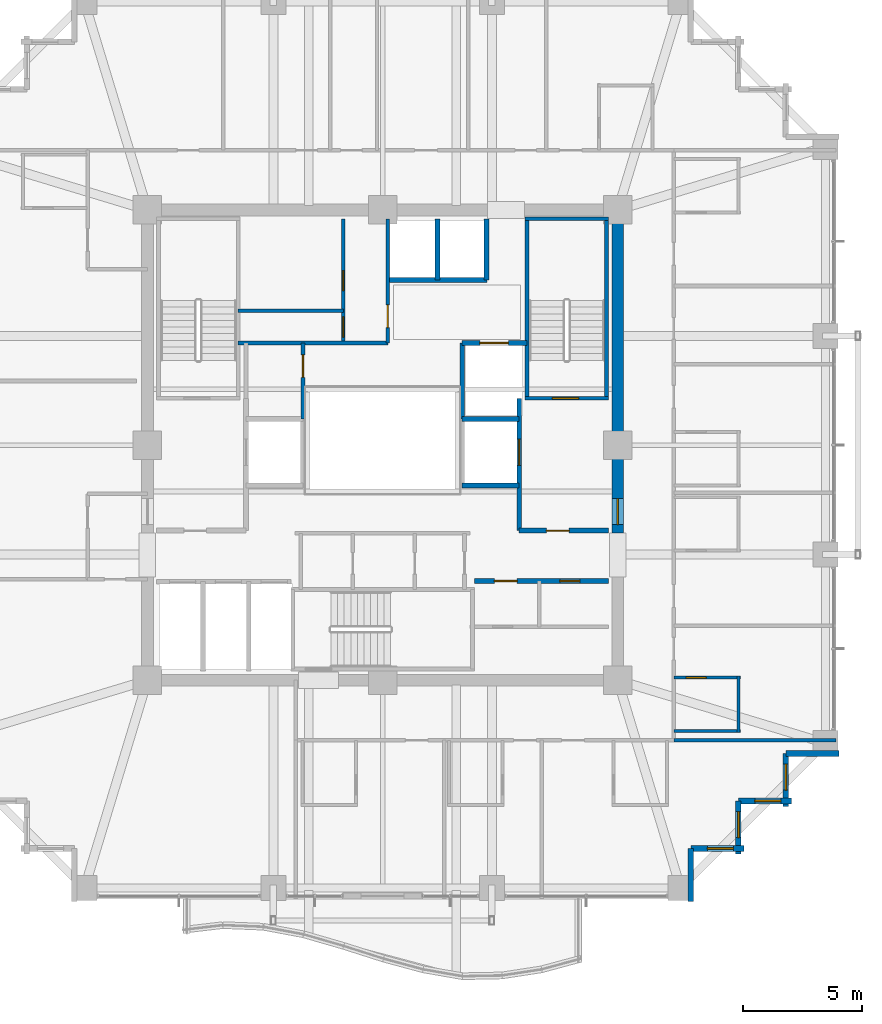
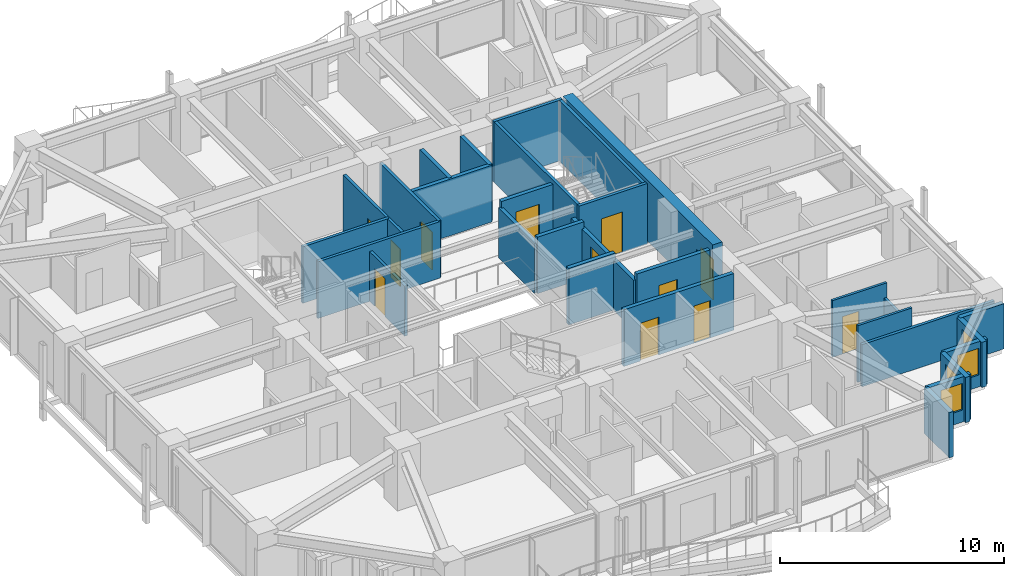
# One storey, part 29 of 34: 30 walls, 12 doors, 4 windows, 16 openings.
"""IFC4 building model written with IfcOpenShell, lengths in metres."""

from ifc_helpers import new_model, si_unit, direction, frame, frame_2d, origin, place, context, subcontext, project, spatial, rectangle, extrude, material, layer, layer_set, type_object, element, fill, save


model = new_model("IFC4")

# Units and contexts
model_context = context("Model", 3, precision=1e-05, world=origin(), true_north=direction((0.0, 1.0)))
body_context = subcontext(model_context, "Body", "Model", "MODEL_VIEW")
ifc_project = project(units=[si_unit("LENGTHUNIT", "METRE"), si_unit("AREAUNIT", "SQUARE_METRE"), si_unit("VOLUMEUNIT", "CUBIC_METRE"), si_unit("PLANEANGLEUNIT", "RADIAN"), si_unit("MASSUNIT", "GRAM", prefix="KILO")], contexts=[model_context])

# Site, building, storey
site_placement = place(None, origin())
site = spatial("IfcSite", under=ifc_project, at=site_placement, CompositionType="ELEMENT")
building_placement = place(site_placement, origin())
building = spatial("IfcBuilding", under=site, at=building_placement, Name="Kolvaren Belvedere", CompositionType="ELEMENT")
storey_placement = place(building_placement, frame((0.0, 0.0, 111.800048828125)))
storey = spatial("IfcBuildingStorey", under=building, at=storey_placement, Name="L32", CompositionType="ELEMENT", Elevation=111.800048828125)

# Wall, opening, door
ifc_material_1 = material(Name="Concrete C50/60", Category="concrete")
ifc_layer_1 = layer(ifc_material_1, 0.5)
ifc_layer_set_1 = layer_set([ifc_layer_1], Name="Concrete C50/60")
wall_type_1 = type_object("IfcWallType", Name="CW-CORE-500", PredefinedType="SHEAR", material=ifc_layer_set_1)
wall_1_placement = place(storey_placement, frame((9.89990234375, -3.699951171875, 0.0), z_axis=(0.0, 0.0, 1.0), x_axis=(0.0, 1.0, 0.0)))
wall_1 = element("IfcWall", 1, at=wall_1_placement, inside=storey, type_object=wall_type_1, Name="L32 East Core Shear Wall 2", PredefinedType="SHEAR", context=body_context, shape_type="SweptSolid", body=[
    extrude(rectangle(XDim=13.349853515625, YDim=0.5, at=frame_2d((6.6748046875, 0.0))), origin(), (0.0, 0.0, 1.0), 3.300048828125),
])
opening_1_placement = place(wall_1_placement, frame((0.35009765625, 0.0, 0.0)))
opening_1 = element("IfcOpeningElement", 2, at=opening_1_placement, cuts=wall_1, Name="Opening D-FD90", PredefinedType="OPENING", context=body_context, shape_type="SweptSolid", body=[
    extrude(rectangle(XDim=1.10009765625, YDim=2.199951171875, at=frame_2d((0.550048828125, 1.10009765625))), frame((0.0, 0.260009765625, 0.0), z_axis=(0.0, -1.0, 0.0), x_axis=(1.0, 0.0, 0.0)), (0.0, 0.0, 1.0), 0.52001953125),
])
ifc_material_2 = material(Name="Painted hollow stainless steel", Category="steel")
door_type_1 = type_object("IfcDoorType", Name="DR-FD90-1100", OperationType="NOTDEFINED", PredefinedType="DOOR", material=ifc_material_2)
door_1_placement = place(opening_1_placement, origin())
door_1 = element("IfcDoor", 3, at=door_1_placement, inside=storey, type_object=door_type_1, Name="L32 East Firefighting Lobby Fire Door", OperationType="SINGLE_SWING_RIGHT", OverallHeight=2.199951171875, OverallWidth=1.10009765625, PredefinedType="DOOR", context=body_context, shape_type="SweptSolid", body=[
    extrude(rectangle(XDim=1.10009765625, YDim=2.199951171875, at=frame_2d((0.550048828125, 1.10009765625))), frame((0.0, 0.02490234375, 0.0), z_axis=(0.0, -1.0, 0.0), x_axis=(1.0, 0.0, 0.0)), (0.0, 0.0, 1.0), 0.050048828125),
])
fill(opening_1, door_1)

ifc_material_3 = material(Name="Concrete C50/60", Category="concrete")
ifc_layer_2 = layer(ifc_material_3, 0.159912109375)
ifc_layer_set_2 = layer_set([ifc_layer_2], Name="Concrete C50/60")
wall_type_2 = type_object("IfcWallType", Name="CW-STAIR-160", PredefinedType="SHEAR", material=ifc_layer_set_2)
wall_2_placement = place(storey_placement, frame((6.0, 1.969970703125, 0.0), z_axis=(0.0, 0.0, 1.0), x_axis=(1.0, 0.0, 0.0)))
wall_2 = element("IfcWall", 4, at=wall_2_placement, inside=storey, type_object=wall_type_2, Name="L32 Stair ST-2 South Shear Wall", PredefinedType="SHEAR", context=body_context, shape_type="SweptSolid", body=[
    extrude(rectangle(XDim=3.52001953125, YDim=0.159912109375, at=frame_2d((1.760009765625, 0.0))), origin(), (0.0, 0.0, 1.0), 3.300048828125),
])
opening_2_placement = place(wall_2_placement, frame((1.14990234375, 0.0, 0.0)))
opening_2 = element("IfcOpeningElement", 5, at=opening_2_placement, cuts=wall_2, Name="Opening D-FD90", PredefinedType="OPENING", context=body_context, shape_type="SweptSolid", body=[
    extrude(rectangle(XDim=1.10009765625, YDim=2.199951171875, at=frame_2d((0.550048828125, 1.10009765625))), frame((0.0, 0.08984375, 0.0), z_axis=(0.0, -1.0, 0.0), x_axis=(1.0, 0.0, 0.0)), (0.0, 0.0, 1.0), 0.179931640625),
])
door_2_placement = place(opening_2_placement, origin())
door_2 = element("IfcDoor", 6, at=door_2_placement, inside=storey, type_object=door_type_1, Name="L32 Stair ST-2 Fire Door", OperationType="SINGLE_SWING_RIGHT", OverallHeight=2.199951171875, OverallWidth=1.10009765625, PredefinedType="DOOR", context=body_context, shape_type="SweptSolid", body=[
    extrude(rectangle(XDim=1.10009765625, YDim=2.199951171875, at=frame_2d((0.550048828125, 1.10009765625))), frame((0.0, 0.02490234375, 0.0), z_axis=(0.0, -1.0, 0.0), x_axis=(1.0, 0.0, 0.0)), (0.0, 0.0, 1.0), 0.050048828125),
])
fill(opening_2, door_2)

# Walls
wall_3_placement = place(storey_placement, frame((6.0, 9.530029296875, 0.0), z_axis=(0.0, 0.0, 1.0), x_axis=(1.0, 0.0, 0.0)))
element("IfcWall", 7, at=wall_3_placement, inside=storey, type_object=wall_type_2, Name="L32 Stair ST-2 North Shear Wall", PredefinedType="SHEAR", context=body_context, shape_type="SweptSolid", body=[
    extrude(rectangle(XDim=3.52001953125, YDim=0.159912109375, at=frame_2d((1.760009765625, 0.0))), origin(), (0.0, 0.0, 1.0), 3.300048828125),
])
for number, where, z_axis, x_axis, name in (
    (8, (6.080078125, 1.969970703125, 0.0), (0.0, 0.0, 1.0), (0.0, 1.0, 0.0), "L32 Stair ST-2 West Shear Wall"),
    (9, (9.429931640625, 1.969970703125, 0.0), (0.0, 0.0, 1.0), (0.0, 1.0, 0.0), "L32 Stair ST-2 East Shear Wall"),
):
    element("IfcWall", number, at=place(storey_placement, frame(where, z_axis=z_axis, x_axis=x_axis)), inside=storey, type_object=wall_type_2, Name=name, PredefinedType="SHEAR", context=body_context, shape_type="SweptSolid", body=[
        extrude(rectangle(XDim=7.56005859375, YDim=0.159912109375, at=frame_2d((3.780029296875, 0.0))), origin(), (0.0, 0.0, 1.0), 3.300048828125),
    ])
ifc_material_4 = material(Name="Insulated pale-metal facade wall assembly", Category="aluminium")
ifc_layer_3 = layer(ifc_material_4, 0.239990234375)
ifc_layer_set_3 = layer_set([ifc_layer_3], Name="Insulated pale-metal facade wall assembly")
wall_type_3 = type_object("IfcWallType", Name="WL-EXT-240", PredefinedType="STANDARD", material=ifc_layer_set_3)
wall_4_placement = place(storey_placement, frame((12.97998046875, -16.97998046875, 0.0), z_axis=(0.0, 0.0, 1.0), x_axis=(0.0, -1.0, 0.0)))
element("IfcWall", 10, at=wall_4_placement, inside=storey, type_object=wall_type_3, Name="L32 Serrated Corner Facade Wall 2", PredefinedType="STANDARD", context=body_context, shape_type="SweptSolid", body=[
    extrude(rectangle(XDim=2.239990234375, YDim=0.239990234375, at=frame_2d((1.1201171875, 0.0))), origin(), (0.0, 0.0, 1.0), 2.458984375),
])

# Wall, opening, window
wall_5_placement = place(storey_placement, frame((15.219970703125, -16.97998046875, 0.0), z_axis=(0.0, 0.0, 1.0), x_axis=(-1.0, 0.0, 0.0)))
wall_5 = element("IfcWall", 11, at=wall_5_placement, inside=storey, type_object=wall_type_3, Name="L32 Serrated Corner Facade Wall 3", PredefinedType="STANDARD", context=body_context, shape_type="SweptSolid", body=[
    extrude(rectangle(XDim=2.239990234375, YDim=0.239990234375, at=frame_2d((1.1201171875, 0.0))), origin(), (0.0, 0.0, 1.0), 2.458984375),
])
opening_3_placement = place(wall_5_placement, frame((0.449951171875, 0.0, 0.64990234375)))
opening_3 = element("IfcOpeningElement", 12, at=opening_3_placement, cuts=wall_5, Name="Opening W-1100", PredefinedType="OPENING", context=body_context, shape_type="SweptSolid", body=[
    extrude(rectangle(XDim=1.10009765625, YDim=1.449951171875, at=frame_2d((0.550048828125, 0.72509765625))), frame((0.0, 0.1298828125, 0.0), z_axis=(0.0, -1.0, 0.0), x_axis=(1.0, 0.0, 0.0)), (0.0, 0.0, 1.0), 0.260009765625),
])
ifc_material_5 = material(Name="Low-iron triple insulated glass", Category="glass")
window_type = type_object("IfcWindowType", Name="WN-CORN-1100", PartitioningType="SINGLE_PANEL", PredefinedType="WINDOW", material=ifc_material_5)
window_1_placement = place(opening_3_placement, origin())
window_1 = element("IfcWindow", 13, at=window_1_placement, inside=storey, type_object=window_type, Name="L32 Serrated Corner Vision Window 3", OverallHeight=1.449951171875, OverallWidth=1.10009765625, PartitioningType="SINGLE_PANEL", PredefinedType="WINDOW", context=body_context, shape_type="SweptSolid", body=[
    extrude(rectangle(XDim=1.10009765625, YDim=1.449951171875, at=frame_2d((0.550048828125, 0.72509765625))), frame((0.0, 0.030029296875, 0.0), z_axis=(0.0, -1.0, 0.0), x_axis=(1.0, 0.0, 0.0)), (0.0, 0.0, 1.0), 0.06005859375),
])
fill(opening_3, window_1)

wall_6_placement = place(storey_placement, frame((14.97998046875, -14.97998046875, 0.0), z_axis=(0.0, 0.0, 1.0), x_axis=(0.0, -1.0, 0.0)))
wall_6 = element("IfcWall", 14, at=wall_6_placement, inside=storey, type_object=wall_type_3, Name="L32 Serrated Corner Facade Wall 4", PredefinedType="STANDARD", context=body_context, shape_type="SweptSolid", body=[
    extrude(rectangle(XDim=2.239990234375, YDim=0.239990234375, at=frame_2d((1.1201171875, 0.0))), origin(), (0.0, 0.0, 1.0), 2.458984375),
])
opening_4_placement = place(wall_6_placement, frame((0.449951171875, 0.0, 0.64990234375)))
opening_4 = element("IfcOpeningElement", 15, at=opening_4_placement, cuts=wall_6, Name="Opening W-1100", PredefinedType="OPENING", context=body_context, shape_type="SweptSolid", body=[
    extrude(rectangle(XDim=1.10009765625, YDim=1.449951171875, at=frame_2d((0.550048828125, 0.72509765625))), frame((0.0, 0.1298828125, 0.0), z_axis=(0.0, -1.0, 0.0), x_axis=(1.0, 0.0, 0.0)), (0.0, 0.0, 1.0), 0.260009765625),
])
window_2_placement = place(opening_4_placement, origin())
window_2 = element("IfcWindow", 16, at=window_2_placement, inside=storey, type_object=window_type, Name="L32 Serrated Corner Vision Window 4", OverallHeight=1.449951171875, OverallWidth=1.10009765625, PartitioningType="SINGLE_PANEL", PredefinedType="WINDOW", context=body_context, shape_type="SweptSolid", body=[
    extrude(rectangle(XDim=1.10009765625, YDim=1.449951171875, at=frame_2d((0.550048828125, 0.72509765625))), frame((0.0, 0.030029296875, 0.0), z_axis=(0.0, -1.0, 0.0), x_axis=(1.0, 0.0, 0.0)), (0.0, 0.0, 1.0), 0.06005859375),
])
fill(opening_4, window_2)

wall_7_placement = place(storey_placement, frame((17.219970703125, -14.97998046875, 0.0), z_axis=(0.0, 0.0, 1.0), x_axis=(-1.0, 0.0, 0.0)))
wall_7 = element("IfcWall", 17, at=wall_7_placement, inside=storey, type_object=wall_type_3, Name="L32 Serrated Corner Facade Wall 5", PredefinedType="STANDARD", context=body_context, shape_type="SweptSolid", body=[
    extrude(rectangle(XDim=2.239990234375, YDim=0.239990234375, at=frame_2d((1.1201171875, 0.0))), origin(), (0.0, 0.0, 1.0), 2.458984375),
])
opening_5_placement = place(wall_7_placement, frame((0.449951171875, 0.0, 0.64990234375)))
opening_5 = element("IfcOpeningElement", 18, at=opening_5_placement, cuts=wall_7, Name="Opening W-1100", PredefinedType="OPENING", context=body_context, shape_type="SweptSolid", body=[
    extrude(rectangle(XDim=1.10009765625, YDim=1.449951171875, at=frame_2d((0.550048828125, 0.72509765625))), frame((0.0, 0.1298828125, 0.0), z_axis=(0.0, -1.0, 0.0), x_axis=(1.0, 0.0, 0.0)), (0.0, 0.0, 1.0), 0.260009765625),
])
window_3_placement = place(opening_5_placement, origin())
window_3 = element("IfcWindow", 19, at=window_3_placement, inside=storey, type_object=window_type, Name="L32 Serrated Corner Vision Window 5", OverallHeight=1.449951171875, OverallWidth=1.10009765625, PartitioningType="SINGLE_PANEL", PredefinedType="WINDOW", context=body_context, shape_type="SweptSolid", body=[
    extrude(rectangle(XDim=1.10009765625, YDim=1.449951171875, at=frame_2d((0.550048828125, 0.72509765625))), frame((0.0, 0.030029296875, 0.0), z_axis=(0.0, -1.0, 0.0), x_axis=(1.0, 0.0, 0.0)), (0.0, 0.0, 1.0), 0.06005859375),
])
fill(opening_5, window_3)

wall_8_placement = place(storey_placement, frame((16.97998046875, -12.97998046875, 0.0), z_axis=(0.0, 0.0, 1.0), x_axis=(0.0, -1.0, 0.0)))
wall_8 = element("IfcWall", 20, at=wall_8_placement, inside=storey, type_object=wall_type_3, Name="L32 Serrated Corner Facade Wall 6", PredefinedType="STANDARD", context=body_context, shape_type="SweptSolid", body=[
    extrude(rectangle(XDim=2.239990234375, YDim=0.239990234375, at=frame_2d((1.1201171875, 0.0))), origin(), (0.0, 0.0, 1.0), 2.458984375),
])
opening_6_placement = place(wall_8_placement, frame((0.449951171875, 0.0, 0.64990234375)))
opening_6 = element("IfcOpeningElement", 21, at=opening_6_placement, cuts=wall_8, Name="Opening W-1100", PredefinedType="OPENING", context=body_context, shape_type="SweptSolid", body=[
    extrude(rectangle(XDim=1.10009765625, YDim=1.449951171875, at=frame_2d((0.550048828125, 0.72509765625))), frame((0.0, 0.1298828125, 0.0), z_axis=(0.0, -1.0, 0.0), x_axis=(1.0, 0.0, 0.0)), (0.0, 0.0, 1.0), 0.260009765625),
])
window_4_placement = place(opening_6_placement, origin())
window_4 = element("IfcWindow", 22, at=window_4_placement, inside=storey, type_object=window_type, Name="L32 Serrated Corner Vision Window 6", OverallHeight=1.449951171875, OverallWidth=1.10009765625, PartitioningType="SINGLE_PANEL", PredefinedType="WINDOW", context=body_context, shape_type="SweptSolid", body=[
    extrude(rectangle(XDim=1.10009765625, YDim=1.449951171875, at=frame_2d((0.550048828125, 0.72509765625))), frame((0.0, 0.030029296875, 0.0), z_axis=(0.0, -1.0, 0.0), x_axis=(1.0, 0.0, 0.0)), (0.0, 0.0, 1.0), 0.06005859375),
])
fill(opening_6, window_4)

# Walls
wall_9_placement = place(storey_placement, frame((19.219970703125, -12.97998046875, 0.0), z_axis=(0.0, 0.0, 1.0), x_axis=(-1.0, 0.0, 0.0)))
element("IfcWall", 23, at=wall_9_placement, inside=storey, type_object=wall_type_3, Name="L32 Serrated Corner Facade Wall 7", PredefinedType="STANDARD", context=body_context, shape_type="SweptSolid", body=[
    extrude(rectangle(XDim=2.239990234375, YDim=0.239990234375, at=frame_2d((1.1201171875, 0.0))), origin(), (0.0, 0.0, 1.0), 2.458984375),
])
ifc_material_6 = material(Name="Gypsum acoustic partition assembly", Category="gypsum")
ifc_layer_4 = layer(ifc_material_6, 0.14990234375)
ifc_layer_set_4 = layer_set([ifc_layer_4], Name="Gypsum acoustic partition assembly")
wall_type_4 = type_object("IfcWallType", Name="WL-PART-150", PredefinedType="PARTITIONING", material=ifc_layer_set_4)
wall_10_placement = place(storey_placement, frame((-6.080078125, 4.300048828125, 0.0), z_axis=(0.0, 0.0, 1.0), x_axis=(1.0, 0.0, 0.0)))
element("IfcWall", 24, at=wall_10_placement, inside=storey, type_object=wall_type_4, Name="L32 Reclaimed Salon South Wall", PredefinedType="PARTITIONING", context=body_context, shape_type="SweptSolid", body=[
    extrude(rectangle(XDim=6.300048828125, YDim=0.14990234375, at=frame_2d((3.14990234375, 0.0))), origin(), (0.0, 0.0, 1.0), 3.079833984375),
])

# Wall, opening, door
wall_11_placement = place(storey_placement, frame((0.219970703125, 4.300048828125, 0.0), z_axis=(0.0, 0.0, 1.0), x_axis=(0.0, 1.0, 0.0)))
wall_11 = element("IfcWall", 25, at=wall_11_placement, inside=storey, type_object=wall_type_4, Name="L32 Reclaimed Salon East Wall", PredefinedType="PARTITIONING", context=body_context, shape_type="SweptSolid", body=[
    extrude(rectangle(XDim=5.219970703125, YDim=0.14990234375, at=frame_2d((2.60986328125, 0.0))), origin(), (0.0, 0.0, 1.0), 3.079833984375),
])
opening_7_placement = place(wall_11_placement, frame((0.64990234375, 0.0, 0.0)))
opening_7 = element("IfcOpeningElement", 26, at=opening_7_placement, cuts=wall_11, Name="Opening D-INT95", PredefinedType="OPENING", context=body_context, shape_type="SweptSolid", body=[
    extrude(rectangle(XDim=0.949951171875, YDim=2.06005859375, at=frame_2d((0.47509765625, 1.030029296875))), frame((0.0, 0.0849609375, 0.0), z_axis=(0.0, -1.0, 0.0), x_axis=(1.0, 0.0, 0.0)), (0.0, 0.0, 1.0), 0.169921875),
])
ifc_material_7 = material(Name="Stained Pacific white oak", Category="timber")
door_type_2 = type_object("IfcDoorType", Name="DR-INT-950", OperationType="NOTDEFINED", PredefinedType="DOOR", material=ifc_material_7)
door_3_placement = place(opening_7_placement, origin())
door_3 = element("IfcDoor", 27, at=door_3_placement, inside=storey, type_object=door_type_2, Name="L32 Wellness Tearoom Door", OperationType="SINGLE_SWING_LEFT", OverallHeight=2.06005859375, OverallWidth=0.949951171875, PredefinedType="DOOR", context=body_context, shape_type="SweptSolid", body=[
    extrude(rectangle(XDim=0.949951171875, YDim=2.06005859375, at=frame_2d((0.47509765625, 1.030029296875))), frame((0.0, 0.02490234375, 0.0), z_axis=(0.0, -1.0, 0.0), x_axis=(1.0, 0.0, 0.0)), (0.0, 0.0, 1.0), 0.050048828125),
])
fill(opening_7, door_3)

# Wall, openings, doors
wall_12_placement = place(storey_placement, frame((-1.64990234375, 4.300048828125, 0.0), z_axis=(0.0, 0.0, 1.0), x_axis=(0.0, 1.0, 0.0)))
wall_12 = element("IfcWall", 28, at=wall_12_placement, inside=storey, type_object=wall_type_4, Name="L32 Reclaimed Tearoom V-Divider", PredefinedType="PARTITIONING", context=body_context, shape_type="SweptSolid", body=[
    extrude(rectangle(XDim=5.219970703125, YDim=0.14990234375, at=frame_2d((2.60986328125, 0.0))), origin(), (0.0, 0.0, 1.0), 3.079833984375),
])
opening_8_placement = place(wall_12_placement, frame((2.199951171875, 0.0, 0.0)))
opening_8 = element("IfcOpeningElement", 29, at=opening_8_placement, cuts=wall_12, Name="Opening D-INT85", PredefinedType="OPENING", context=body_context, shape_type="SweptSolid", body=[
    extrude(rectangle(XDim=0.85009765625, YDim=2.030029296875, at=frame_2d((0.425048828125, 1.01513671875))), frame((0.0, 0.0849609375, 0.0), z_axis=(0.0, -1.0, 0.0), x_axis=(1.0, 0.0, 0.0)), (0.0, 0.0, 1.0), 0.169921875),
])
opening_9_placement = place(wall_12_placement, frame((0.25, 0.0, 0.0)))
opening_9 = element("IfcOpeningElement", 30, at=opening_9_placement, cuts=wall_12, Name="Opening D-INT85", PredefinedType="OPENING", context=body_context, shape_type="SweptSolid", body=[
    extrude(rectangle(XDim=0.85009765625, YDim=2.030029296875, at=frame_2d((0.425048828125, 1.01513671875))), frame((0.0, 0.0849609375, 0.0), z_axis=(0.0, -1.0, 0.0), x_axis=(1.0, 0.0, 0.0)), (0.0, 0.0, 1.0), 0.169921875),
])
ifc_material_8 = material(Name="Stained Pacific white oak", Category="timber")
door_type_3 = type_object("IfcDoorType", Name="DR-INT-850", OperationType="NOTDEFINED", PredefinedType="DOOR", material=ifc_material_8)
door_4_placement = place(opening_8_placement, origin())
door_4 = element("IfcDoor", 31, at=door_4_placement, inside=storey, type_object=door_type_3, Name="L32 Meditation Room Door", OperationType="SINGLE_SWING_RIGHT", OverallHeight=2.030029296875, OverallWidth=0.85009765625, PredefinedType="DOOR", context=body_context, shape_type="SweptSolid", body=[
    extrude(rectangle(XDim=0.85009765625, YDim=2.030029296875, at=frame_2d((0.425048828125, 1.01513671875))), frame((0.0, 0.02490234375, 0.0), z_axis=(0.0, -1.0, 0.0), x_axis=(1.0, 0.0, 0.0)), (0.0, 0.0, 1.0), 0.050048828125),
])
fill(opening_8, door_4)
door_5_placement = place(opening_9_placement, origin())
door_5 = element("IfcDoor", 32, at=door_5_placement, inside=storey, type_object=door_type_3, Name="L32 Herbal Closet Door", OperationType="SINGLE_SWING_RIGHT", OverallHeight=2.030029296875, OverallWidth=0.85009765625, PredefinedType="DOOR", context=body_context, shape_type="SweptSolid", body=[
    extrude(rectangle(XDim=0.85009765625, YDim=2.030029296875, at=frame_2d((0.425048828125, 1.01513671875))), frame((0.0, 0.02490234375, 0.0), z_axis=(0.0, -1.0, 0.0), x_axis=(1.0, 0.0, 0.0)), (0.0, 0.0, 1.0), 0.050048828125),
])
fill(opening_9, door_5)

# Wall
wall_13_placement = place(storey_placement, frame((-6.080078125, 5.64990234375, 0.0), z_axis=(0.0, 0.0, 1.0), x_axis=(1.0, 0.0, 0.0)))
element("IfcWall", 33, at=wall_13_placement, inside=storey, type_object=wall_type_4, Name="L32 Reclaimed Tearoom H-Divider", PredefinedType="PARTITIONING", context=body_context, shape_type="SweptSolid", body=[
    extrude(rectangle(XDim=4.43017578125, YDim=0.14990234375, at=frame_2d((2.215087890625, 0.0))), origin(), (0.0, 0.0, 1.0), 3.079833984375),
])

# Wall, opening, door
wall_14_placement = place(storey_placement, frame((-3.35009765625, 1.10009765625, 0.0), z_axis=(0.0, 0.0, 1.0), x_axis=(0.0, 1.0, 0.0)))
wall_14 = element("IfcWall", 34, at=wall_14_placement, inside=storey, type_object=wall_type_4, Name="L32 NW Service Room East Wall", PredefinedType="PARTITIONING", context=body_context, shape_type="SweptSolid", body=[
    extrude(rectangle(XDim=3.199951171875, YDim=0.14990234375, at=frame_2d((1.60009765625, 0.0))), origin(), (0.0, 0.0, 1.0), 2.71484375),
])
opening_10_placement = place(wall_14_placement, frame((1.75, 0.0, 0.0)))
opening_10 = element("IfcOpeningElement", 35, at=opening_10_placement, cuts=wall_14, Name="Opening D-FD60", PredefinedType="OPENING", context=body_context, shape_type="SweptSolid", body=[
    extrude(rectangle(XDim=0.949951171875, YDim=2.06005859375, at=frame_2d((0.47509765625, 1.030029296875))), frame((0.0, 0.0849609375, 0.0), z_axis=(0.0, -1.0, 0.0), x_axis=(1.0, 0.0, 0.0)), (0.0, 0.0, 1.0), 0.169921875),
])
ifc_material_9 = material(Name="Acoustic white-oak fire door leaf", Category="timber")
door_type_4 = type_object("IfcDoorType", Name="DR-FD60-950", OperationType="NOTDEFINED", PredefinedType="DOOR", material=ifc_material_9)
door_6_placement = place(opening_10_placement, origin())
door_6 = element("IfcDoor", 36, at=door_6_placement, inside=storey, type_object=door_type_4, Name="L32 NW Core Store Door", OperationType="SINGLE_SWING_LEFT", OverallHeight=2.06005859375, OverallWidth=0.949951171875, PredefinedType="DOOR", context=body_context, shape_type="SweptSolid", body=[
    extrude(rectangle(XDim=0.949951171875, YDim=2.06005859375, at=frame_2d((0.47509765625, 1.030029296875))), frame((0.0, 0.02490234375, 0.0), z_axis=(0.0, -1.0, 0.0), x_axis=(1.0, 0.0, 0.0)), (0.0, 0.0, 1.0), 0.050048828125),
])
fill(opening_10, door_6)

# Wall
wall_15_placement = place(storey_placement, frame((12.260009765625, -12.419921875, 0.0), z_axis=(0.0, 0.0, 1.0), x_axis=(1.0, 0.0, 0.0)))
element("IfcWall", 37, at=wall_15_placement, inside=storey, type_object=wall_type_4, Name="L32 Wing Divider PW-L32-QSE", PredefinedType="PARTITIONING", context=body_context, shape_type="SweptSolid", body=[
    extrude(rectangle(XDim=6.820068359375, YDim=0.14990234375, at=frame_2d((3.41015625, 0.0))), origin(), (0.0, 0.0, 1.0), 2.2919921875),
])

# Wall, opening, door
ifc_material_10 = material(Name="Concrete C50/60", Category="concrete")
ifc_layer_5 = layer(ifc_material_10, 0.199951171875)
ifc_layer_set_5 = layer_set([ifc_layer_5], Name="Concrete C50/60")
wall_type_5 = type_object("IfcWallType", Name="WL-SHAFT-200", PredefinedType="SOLIDWALL", material=ifc_layer_set_5)
wall_16_placement = place(storey_placement, frame((5.75, -3.60009765625, 0.0), z_axis=(0.0, 0.0, 1.0), x_axis=(1.0, 0.0, 0.0)))
wall_16 = element("IfcWall", 38, at=wall_16_placement, inside=storey, type_object=wall_type_5, Name="L32 East FSAE Lobby South Wall", PredefinedType="SOLIDWALL", context=body_context, shape_type="SweptSolid", body=[
    extrude(rectangle(XDim=3.77001953125, YDim=0.199951171875, at=frame_2d((1.885009765625, 0.0))), origin(), (0.0, 0.0, 1.0), 3.079833984375),
])
opening_11_placement = place(wall_16_placement, frame((1.14990234375, 0.0, 0.0)))
opening_11 = element("IfcOpeningElement", 39, at=opening_11_placement, cuts=wall_16, Name="Opening D-FD60", PredefinedType="OPENING", context=body_context, shape_type="SweptSolid", body=[
    extrude(rectangle(XDim=0.949951171875, YDim=2.06005859375, at=frame_2d((0.47509765625, 1.030029296875))), frame((0.0, 0.10986328125, 0.0), z_axis=(0.0, -1.0, 0.0), x_axis=(1.0, 0.0, 0.0)), (0.0, 0.0, 1.0), 0.219970703125),
])
door_7_placement = place(opening_11_placement, origin())
door_7 = element("IfcDoor", 40, at=door_7_placement, inside=storey, type_object=door_type_4, Name="L32 SE Lift Lobby Fire Door", OperationType="SINGLE_SWING_RIGHT", OverallHeight=2.06005859375, OverallWidth=0.949951171875, PredefinedType="DOOR", context=body_context, shape_type="SweptSolid", body=[
    extrude(rectangle(XDim=0.949951171875, YDim=2.06005859375, at=frame_2d((0.47509765625, 1.030029296875))), frame((0.0, 0.02490234375, 0.0), z_axis=(0.0, -1.0, 0.0), x_axis=(1.0, 0.0, 0.0)), (0.0, 0.0, 1.0), 0.050048828125),
])
fill(opening_11, door_7)

wall_17_placement = place(storey_placement, frame((5.75, -3.60009765625, 0.0), z_axis=(0.0, 0.0, 1.0), x_axis=(0.0, 1.0, 0.0)))
wall_17 = element("IfcWall", 41, at=wall_17_placement, inside=storey, type_object=wall_type_5, Name="L32 FSAE FS2 Landing Wall", PredefinedType="SOLIDWALL", context=body_context, shape_type="SweptSolid", body=[
    extrude(rectangle(XDim=5.570068359375, YDim=0.199951171875, at=frame_2d((2.78515625, 0.0))), origin(), (0.0, 0.0, 1.0), 2.71484375),
])
opening_12_placement = place(wall_17_placement, frame((2.75, 0.0, 0.0)))
opening_12 = element("IfcOpeningElement", 42, at=opening_12_placement, cuts=wall_17, Name="Opening LD-11", PredefinedType="OPENING", context=body_context, shape_type="SweptSolid", body=[
    extrude(rectangle(XDim=1.10009765625, YDim=2.199951171875, at=frame_2d((0.550048828125, 1.10009765625))), frame((0.0, 0.10986328125, 0.0), z_axis=(0.0, -1.0, 0.0), x_axis=(1.0, 0.0, 0.0)), (0.0, 0.0, 1.0), 0.219970703125),
])
ifc_material_11 = material(Name="Brushed stainless steel", Category="steel")
door_type_5 = type_object("IfcDoorType", Name="DR-LIFT-1100", OperationType="DOUBLE_DOOR_SLIDING", PredefinedType="DOOR", material=ifc_material_11)
door_8_placement = place(opening_12_placement, origin())
door_8 = element("IfcDoor", 43, at=door_8_placement, inside=storey, type_object=door_type_5, Name="L32 Firefighting Lift FS2 Landing Door", OperationType="DOUBLE_DOOR_SLIDING", OverallHeight=2.199951171875, OverallWidth=1.10009765625, PredefinedType="DOOR", context=body_context, shape_type="SweptSolid", body=[
    extrude(rectangle(XDim=1.10009765625, YDim=2.199951171875, at=frame_2d((0.550048828125, 1.10009765625))), frame((0.0, 0.02490234375, 0.0), z_axis=(0.0, -1.0, 0.0), x_axis=(1.0, 0.0, 0.0)), (0.0, 0.0, 1.0), 0.050048828125),
])
fill(opening_12, door_8)

# Walls
for number, where, z_axis, x_axis, name in (
    (44, (3.35009765625, -1.699951171875, 0.0), (0.0, 0.0, 1.0), (1.0, 0.0, 0.0), "L32 FSAE FS2 South Wall"),
    (45, (3.35009765625, 1.10009765625, 0.0), (0.0, 0.0, 1.0), (1.0, 0.0, 0.0), "L32 FSAE FS2 North Wall"),
):
    element("IfcWall", number, at=place(storey_placement, frame(where, z_axis=z_axis, x_axis=x_axis)), inside=storey, type_object=wall_type_5, Name=name, PredefinedType="SOLIDWALL", context=body_context, shape_type="SweptSolid", body=[
        extrude(rectangle(XDim=2.39990234375, YDim=0.199951171875, at=frame_2d((1.199951171875, 0.0))), origin(), (0.0, 0.0, 1.0), 3.079833984375),
    ])

# Wall, opening, door
wall_18_placement = place(storey_placement, frame((3.35009765625, 4.300048828125, 0.0), z_axis=(0.0, 0.0, 1.0), x_axis=(1.0, 0.0, 0.0)))
wall_18 = element("IfcWall", 46, at=wall_18_placement, inside=storey, type_object=wall_type_5, Name="L32 Service Lift SV1 Front Wall", PredefinedType="SOLIDWALL", context=body_context, shape_type="SweptSolid", body=[
    extrude(rectangle(XDim=2.72998046875, YDim=0.199951171875, at=frame_2d((1.364990234375, 0.0))), origin(), (0.0, 0.0, 1.0), 3.079833984375),
])
opening_13_placement = place(wall_18_placement, frame((0.75, 0.0, 0.0)))
opening_13 = element("IfcOpeningElement", 47, at=opening_13_placement, cuts=wall_18, Name="Opening LD-12", PredefinedType="OPENING", context=body_context, shape_type="SweptSolid", body=[
    extrude(rectangle(XDim=1.199951171875, YDim=2.25, at=frame_2d((0.60009765625, 1.125))), frame((0.0, 0.10986328125, 0.0), z_axis=(0.0, -1.0, 0.0), x_axis=(1.0, 0.0, 0.0)), (0.0, 0.0, 1.0), 0.219970703125),
])
ifc_material_12 = material(Name="Brushed stainless steel", Category="steel")
door_type_6 = type_object("IfcDoorType", Name="DR-LIFT-1200", OperationType="DOUBLE_DOOR_SLIDING", PredefinedType="DOOR", material=ifc_material_12)
door_9_placement = place(opening_13_placement, origin())
door_9 = element("IfcDoor", 48, at=door_9_placement, inside=storey, type_object=door_type_6, Name="L32 Service Lift SV1 Landing Door", OperationType="DOUBLE_DOOR_SLIDING", OverallHeight=2.25, OverallWidth=1.199951171875, PredefinedType="DOOR", context=body_context, shape_type="SweptSolid", body=[
    extrude(rectangle(XDim=1.199951171875, YDim=2.25, at=frame_2d((0.60009765625, 1.125))), frame((0.0, 0.02490234375, 0.0), z_axis=(0.0, -1.0, 0.0), x_axis=(1.0, 0.0, 0.0)), (0.0, 0.0, 1.0), 0.050048828125),
])
fill(opening_13, door_9)

# Walls
wall_19_placement = place(storey_placement, frame((3.35009765625, 1.10009765625, 0.0), z_axis=(0.0, 0.0, 1.0), x_axis=(0.0, 1.0, 0.0)))
element("IfcWall", 49, at=wall_19_placement, inside=storey, type_object=wall_type_5, Name="L32 Service Lift SV1 West Wall", PredefinedType="SOLIDWALL", context=body_context, shape_type="SweptSolid", body=[
    extrude(rectangle(XDim=3.199951171875, YDim=0.199951171875, at=frame_2d((1.60009765625, 0.0))), origin(), (0.0, 0.0, 1.0), 2.71484375),
])
wall_20_placement = place(storey_placement, frame((0.219970703125, 6.949951171875, 0.0), z_axis=(0.0, 0.0, 1.0), x_axis=(1.0, 0.0, 0.0)))
element("IfcWall", 50, at=wall_20_placement, inside=storey, type_object=wall_type_5, Name="L32 Express Shuttle Hoistway Wall", PredefinedType="SOLIDWALL", context=body_context, shape_type="SweptSolid", body=[
    extrude(rectangle(XDim=4.179931640625, YDim=0.199951171875, at=frame_2d((2.08984375, 0.0))), origin(), (0.0, 0.0, 1.0), 3.079833984375),
])
for number, where, z_axis, x_axis, name in (
    (51, (4.3798828125, 6.949951171875, 0.0), (0.0, 0.0, 1.0), (0.0, 1.0, 0.0), "L32 Express Shuttle East Wall"),
    (52, (2.31005859375, 6.949951171875, 0.0), (0.0, 0.0, 1.0), (0.0, 1.0, 0.0), "L32 Express Shuttle Divider"),
):
    element("IfcWall", number, at=place(storey_placement, frame(where, z_axis=z_axis, x_axis=x_axis)), inside=storey, type_object=wall_type_5, Name=name, PredefinedType="SOLIDWALL", context=body_context, shape_type="SweptSolid", body=[
        extrude(rectangle(XDim=2.570068359375, YDim=0.199951171875, at=frame_2d((1.28515625, 0.0))), origin(), (0.0, 0.0, 1.0), 3.079833984375),
    ])

# Wall, openings, doors
wall_21_placement = place(storey_placement, frame((3.860107421875, -5.719970703125, 0.0), z_axis=(0.0, 0.0, 1.0), x_axis=(1.0, 0.0, 0.0)))
wall_21 = element("IfcWall", 53, at=wall_21_placement, inside=storey, type_object=wall_type_5, Name="L32 SE Core Distribution Wall", PredefinedType="SOLIDWALL", context=body_context, shape_type="SweptSolid", body=[
    extrude(rectangle(XDim=5.659912109375, YDim=0.199951171875, at=frame_2d((2.830078125, 0.0))), origin(), (0.0, 0.0, 1.0), 3.079833984375),
])
opening_14_placement = place(wall_21_placement, frame((0.85009765625, 0.0, 0.0)))
opening_14 = element("IfcOpeningElement", 54, at=opening_14_placement, cuts=wall_21, Name="Opening D-FD60", PredefinedType="OPENING", context=body_context, shape_type="SweptSolid", body=[
    extrude(rectangle(XDim=0.949951171875, YDim=2.06005859375, at=frame_2d((0.47509765625, 1.030029296875))), frame((0.0, 0.10986328125, 0.0), z_axis=(0.0, -1.0, 0.0), x_axis=(1.0, 0.0, 0.0)), (0.0, 0.0, 1.0), 0.219970703125),
])
opening_15_placement = place(wall_21_placement, frame((3.60009765625, 0.0, 0.0)))
opening_15 = element("IfcOpeningElement", 55, at=opening_15_placement, cuts=wall_21, Name="Opening D-INT85", PredefinedType="OPENING", context=body_context, shape_type="SweptSolid", body=[
    extrude(rectangle(XDim=0.85009765625, YDim=2.030029296875, at=frame_2d((0.425048828125, 1.01513671875))), frame((0.0, 0.10986328125, 0.0), z_axis=(0.0, -1.0, 0.0), x_axis=(1.0, 0.0, 0.0)), (0.0, 0.0, 1.0), 0.219970703125),
])
door_10_placement = place(opening_14_placement, origin())
door_10 = element("IfcDoor", 56, at=door_10_placement, inside=storey, type_object=door_type_4, Name="L32 SE Pantry Door", OperationType="SINGLE_SWING_RIGHT", OverallHeight=2.06005859375, OverallWidth=0.949951171875, PredefinedType="DOOR", context=body_context, shape_type="SweptSolid", body=[
    extrude(rectangle(XDim=0.949951171875, YDim=2.06005859375, at=frame_2d((0.47509765625, 1.030029296875))), frame((0.0, 0.02490234375, 0.0), z_axis=(0.0, -1.0, 0.0), x_axis=(1.0, 0.0, 0.0)), (0.0, 0.0, 1.0), 0.050048828125),
])
fill(opening_14, door_10)
door_11_placement = place(opening_15_placement, origin())
door_11 = element("IfcDoor", 57, at=door_11_placement, inside=storey, type_object=door_type_3, Name="L32 SE Linen Door", OperationType="SINGLE_SWING_LEFT", OverallHeight=2.030029296875, OverallWidth=0.85009765625, PredefinedType="DOOR", context=body_context, shape_type="SweptSolid", body=[
    extrude(rectangle(XDim=0.85009765625, YDim=2.030029296875, at=frame_2d((0.425048828125, 1.01513671875))), frame((0.0, 0.02490234375, 0.0), z_axis=(0.0, -1.0, 0.0), x_axis=(1.0, 0.0, 0.0)), (0.0, 0.0, 1.0), 0.050048828125),
])
fill(opening_15, door_11)

# Wall, opening, door
ifc_material_13 = material(Name="Moisture-resistant gypsum partition", Category="gypsum")
ifc_layer_6 = layer(ifc_material_13, 0.125)
ifc_layer_set_6 = layer_set([ifc_layer_6], Name="Moisture-resistant gypsum partition")
wall_type_6 = type_object("IfcWallType", Name="WL-WET-125", PredefinedType="PARTITIONING", material=ifc_layer_set_6)
wall_22_placement = place(storey_placement, frame((12.27490234375, -9.791015625, 0.0), z_axis=(0.0, 0.0, 1.0), x_axis=(1.0, 0.0, 0.0)))
wall_22 = element("IfcWall", 58, at=wall_22_placement, inside=storey, type_object=wall_type_6, Name="L32 Bathroom Partition PW-L32-BTH-5-N", PredefinedType="PARTITIONING", context=body_context, shape_type="SweptSolid", body=[
    extrude(rectangle(XDim=2.7900390625, YDim=0.125, at=frame_2d((1.39501953125, 0.0))), origin(), (0.0, 0.0, 1.0), 3.079833984375),
])
opening_16_placement = place(wall_22_placement, frame((0.5, 0.0, 0.0)))
opening_16 = element("IfcOpeningElement", 59, at=opening_16_placement, cuts=wall_22, Name="Opening D-BTH85", PredefinedType="OPENING", context=body_context, shape_type="SweptSolid", body=[
    extrude(rectangle(XDim=0.85009765625, YDim=2.030029296875, at=frame_2d((0.425048828125, 1.01513671875))), frame((0.0, 0.072509765625, 0.0), z_axis=(0.0, -1.0, 0.0), x_axis=(1.0, 0.0, 0.0)), (0.0, 0.0, 1.0), 0.14501953125),
])
ifc_material_14 = material(Name="Moisture-sealed Pacific white oak", Category="timber")
door_type_7 = type_object("IfcDoorType", Name="DR-BATH-850", OperationType="NOTDEFINED", PredefinedType="DOOR", material=ifc_material_14)
door_12_placement = place(opening_16_placement, origin())
door_12 = element("IfcDoor", 60, at=door_12_placement, inside=storey, type_object=door_type_7, Name="L32 En-Suite Bathroom 3205 Door", OperationType="SINGLE_SWING_RIGHT", OverallHeight=2.030029296875, OverallWidth=0.85009765625, PredefinedType="DOOR", context=body_context, shape_type="SweptSolid", body=[
    extrude(rectangle(XDim=0.85009765625, YDim=2.030029296875, at=frame_2d((0.425048828125, 1.01513671875))), frame((0.0, 0.02490234375, 0.0), z_axis=(0.0, -1.0, 0.0), x_axis=(1.0, 0.0, 0.0)), (0.0, 0.0, 1.0), 0.050048828125),
])
fill(opening_16, door_12)

# Walls
wall_23_placement = place(storey_placement, frame((14.985107421875, -12.10107421875, 0.0), z_axis=(0.0, 0.0, 1.0), x_axis=(0.0, 1.0, 0.0)))
element("IfcWall", 61, at=wall_23_placement, inside=storey, type_object=wall_type_6, Name="L32 Bathroom Partition PW-L32-BTH-5-V", PredefinedType="PARTITIONING", context=body_context, shape_type="SweptSolid", body=[
    extrude(rectangle(XDim=2.3701171875, YDim=0.125, at=frame_2d((1.18505859375, 0.0))), origin(), (0.0, 0.0, 1.0), 2.2919921875),
])
wall_24_placement = place(storey_placement, frame((12.27490234375, -12.041015625, 0.0), z_axis=(0.0, 0.0, 1.0), x_axis=(1.0, 0.0, 0.0)))
element("IfcWall", 62, at=wall_24_placement, inside=storey, type_object=wall_type_6, Name="L32 Bathroom Partition PW-L32-BTH-5-S", PredefinedType="PARTITIONING", context=body_context, shape_type="SweptSolid", body=[
    extrude(rectangle(XDim=2.7900390625, YDim=0.125, at=frame_2d((1.39501953125, 0.0))), origin(), (0.0, 0.0, 1.0), 3.079833984375),
])

save(model, "model.ifc")
